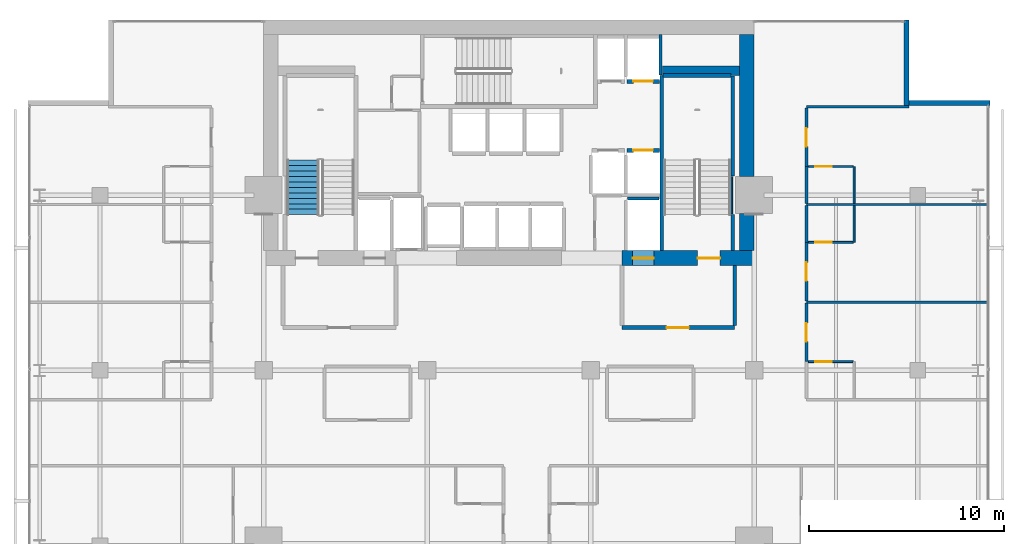
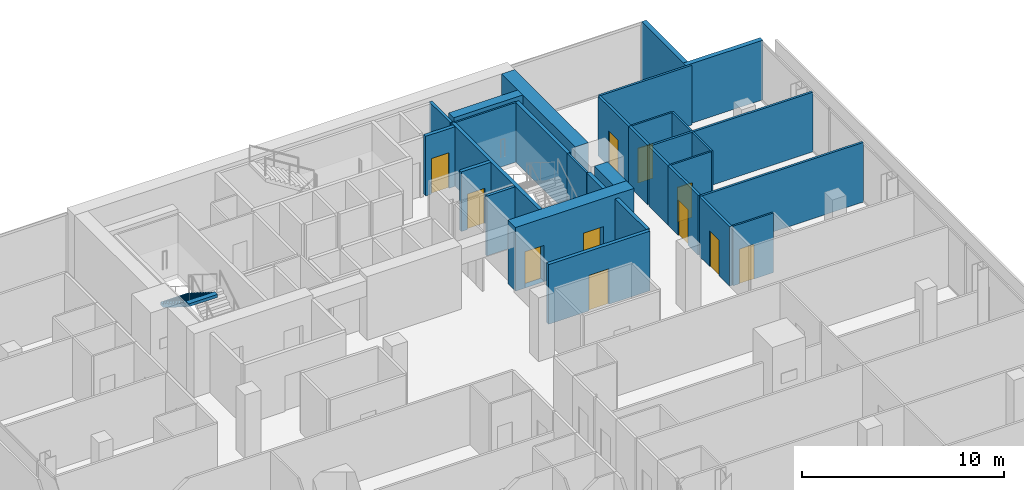
# One storey, part 31 of 34: 30 walls, 11 doors, 1 stair flight, 11 openings, 1 element without a shape of its own.
"""IFC4 building model written with IfcOpenShell, lengths in metres."""

from ifc_helpers import new_model, si_unit, direction, frame, frame_2d, origin, place, context, subcontext, project, spatial, polyline, rectangle, outline, extrude, material, layer, layer_set, type_object, element, fill, aggregate, save


model = new_model("IFC4")

# Units and contexts
model_context = context("Model", 3, precision=1e-05, world=origin(), true_north=direction((0.0, 1.0)))
body_context = subcontext(model_context, "Body", "Model", "MODEL_VIEW")
ifc_project = project(units=[si_unit("LENGTHUNIT", "METRE"), si_unit("AREAUNIT", "SQUARE_METRE"), si_unit("VOLUMEUNIT", "CUBIC_METRE"), si_unit("PLANEANGLEUNIT", "RADIAN"), si_unit("MASSUNIT", "GRAM", prefix="KILO")], contexts=[model_context])

# Site, building, storey
site_placement = place(None, origin())
site = spatial("IfcSite", under=ifc_project, at=site_placement, CompositionType="ELEMENT")
building_placement = place(site_placement, origin())
building = spatial("IfcBuilding", under=site, at=building_placement, Name="Maruvema Waterfront Hotel and Observation Tower", CompositionType="ELEMENT")
storey_placement = place(building_placement, frame((0.0, 0.0, 177.449951171875)))
storey = spatial("IfcBuildingStorey", under=building, at=storey_placement, Name="L43", CompositionType="ELEMENT", Elevation=177.449951171875)

# Wall, opening, door
ifc_material_1 = material(Name="Twin-stud acoustic gypsum drywall", Category="gypsum")
ifc_layer_1 = layer(ifc_material_1, 0.14990234375, Name="Acoustic Corridor and Suite Demising Wall 150 mm")
ifc_layer_set_1 = layer_set([ifc_layer_1], Name="Twin-stud acoustic gypsum drywall")
wall_type_1 = type_object("IfcWallType", Name="Acoustic Corridor and Suite Demising Wall 150 mm", PredefinedType="PARTITIONING", material=ifc_layer_set_1)
wall_1_placement = place(storey_placement, frame((53.080078125, 36.449951171875, 0.0), z_axis=(0.0, 0.0, 1.0), x_axis=(0.0, 1.0, 0.0)))
wall_1 = element("IfcWall", 1, at=wall_1_placement, inside=storey, type_object=wall_type_1, Name="L43 Room L43-NE1 Corridor Wall 110", PredefinedType="PARTITIONING", context=body_context, shape_type="SweptSolid", body=[
    extrude(rectangle(XDim=3.00244140625, YDim=0.14990234375, at=frame_2d((1.501220703125, 0.0))), origin(), (0.0, 0.0, 1.0), 3.610107421875),
])
opening_1_placement = place(wall_1_placement, frame((1.026123046875, 0.0, 0.0)))
opening_1 = element("IfcOpeningElement", 2, at=opening_1_placement, cuts=wall_1, Name="Opening DR-095", PredefinedType="OPENING", context=body_context, shape_type="SweptSolid", body=[
    extrude(rectangle(XDim=0.949951171875, YDim=2.14990234375, at=frame_2d((0.47509765625, 1.074951171875))), frame((0.0, 0.0849609375, 0.0), z_axis=(0.0, -1.0, 0.0), x_axis=(1.0, 0.0, 0.0)), (0.0, 0.0, 1.0), 0.169921875),
])
ifc_material_2 = material(Name="Acoustic solid-core hardwood timber leaf", Category="wood")
door_type_1 = type_object("IfcDoorType", Name="Guestroom Entrance Fire Door 950x2150 mm", OperationType="NOTDEFINED", PredefinedType="DOOR", material=ifc_material_2)
door_1_placement = place(opening_1_placement, frame((0.949951171875, 0.0, 0.0), z_axis=(0.0, 0.0, 1.0), x_axis=(-1.0, 0.0, 0.0)))
door_1 = element("IfcDoor", 3, at=door_1_placement, inside=storey, type_object=door_type_1, Name="L43 Room L43-NE1 Entrance Door", OperationType="SINGLE_SWING_LEFT", OverallHeight=2.14990234375, OverallWidth=0.949951171875, PredefinedType="DOOR", context=body_context, shape_type="SweptSolid", body=[
    extrude(rectangle(XDim=0.949951171875, YDim=2.14990234375, at=frame_2d((0.47509765625, 1.074951171875))), frame((0.0, 0.02490234375, 0.0), z_axis=(0.0, -1.0, 0.0), x_axis=(1.0, 0.0, 0.0)), (0.0, 0.0, 1.0), 0.050048828125),
])
fill(opening_1, door_1)

wall_2_placement = place(storey_placement, frame((53.080078125, 39.572509765625, 0.0), z_axis=(0.0, 0.0, 1.0), x_axis=(0.0, 1.0, 0.0)))
wall_2 = element("IfcWall", 4, at=wall_2_placement, inside=storey, type_object=wall_type_1, Name="L43 Room L43-NE2 Corridor Wall 119", PredefinedType="PARTITIONING", context=body_context, shape_type="SweptSolid", body=[
    extrude(rectangle(XDim=3.00244140625, YDim=0.14990234375, at=frame_2d((1.501220703125, 0.0))), origin(), (0.0, 0.0, 1.0), 3.610107421875),
])
opening_2_placement = place(wall_2_placement, frame((1.0263671875, 0.0, 0.0)))
opening_2 = element("IfcOpeningElement", 5, at=opening_2_placement, cuts=wall_2, Name="Opening DR-095", PredefinedType="OPENING", context=body_context, shape_type="SweptSolid", body=[
    extrude(rectangle(XDim=0.949951171875, YDim=2.14990234375, at=frame_2d((0.47509765625, 1.074951171875))), frame((0.0, 0.0849609375, 0.0), z_axis=(0.0, -1.0, 0.0), x_axis=(1.0, 0.0, 0.0)), (0.0, 0.0, 1.0), 0.169921875),
])
door_2_placement = place(opening_2_placement, frame((0.949951171875, 0.0, 0.0), z_axis=(0.0, 0.0, 1.0), x_axis=(-1.0, 0.0, 0.0)))
door_2 = element("IfcDoor", 6, at=door_2_placement, inside=storey, type_object=door_type_1, Name="L43 Room L43-NE2 Entrance Door", OperationType="SINGLE_SWING_LEFT", OverallHeight=2.14990234375, OverallWidth=0.949951171875, PredefinedType="DOOR", context=body_context, shape_type="SweptSolid", body=[
    extrude(rectangle(XDim=0.949951171875, YDim=2.14990234375, at=frame_2d((0.47509765625, 1.074951171875))), frame((0.0, 0.02490234375, 0.0), z_axis=(0.0, -1.0, 0.0), x_axis=(1.0, 0.0, 0.0)), (0.0, 0.0, 1.0), 0.050048828125),
])
fill(opening_2, door_2)

# Walls
for number, where, z_axis, x_axis, name in (
    (7, (53.080078125, 42.574951171875, 0.0), (0.0, 0.0, 1.0), (0.0, 1.0, 0.0), "L43 Bath L43-NE2 Wall 120"),
    (8, (53.080078125, 44.5849609375, 0.0), (0.0, 0.0, 1.0), (0.0, 1.0, 0.0), "L43 Bath L43-NE3 Wall 129"),
):
    element("IfcWall", number, at=place(storey_placement, frame(where, z_axis=z_axis, x_axis=x_axis)), inside=storey, type_object=wall_type_1, Name=name, PredefinedType="PARTITIONING", context=body_context, shape_type="SweptSolid", body=[
        extrude(rectangle(XDim=1.89013671875, YDim=0.14990234375, at=frame_2d((0.945068359375, 0.0))), origin(), (0.0, 0.0, 1.0), 3.610107421875),
    ])

# Wall, opening, door
wall_3_placement = place(storey_placement, frame((53.080078125, 46.47509765625, 0.0), z_axis=(0.0, 0.0, 1.0), x_axis=(0.0, 1.0, 0.0)))
wall_3 = element("IfcWall", 9, at=wall_3_placement, inside=storey, type_object=wall_type_1, Name="L43 Room L43-NE3 Corridor Wall 130", PredefinedType="PARTITIONING", context=body_context, shape_type="SweptSolid", body=[
    extrude(rectangle(XDim=3.00244140625, YDim=0.14990234375, at=frame_2d((1.501220703125, 0.0))), origin(), (0.0, 0.0, 1.0), 3.610107421875),
])
opening_3_placement = place(wall_3_placement, frame((1.026123046875, 0.0, 0.0)))
opening_3 = element("IfcOpeningElement", 10, at=opening_3_placement, cuts=wall_3, Name="Opening DR-095", PredefinedType="OPENING", context=body_context, shape_type="SweptSolid", body=[
    extrude(rectangle(XDim=0.949951171875, YDim=2.14990234375, at=frame_2d((0.47509765625, 1.074951171875))), frame((0.0, 0.0849609375, 0.0), z_axis=(0.0, -1.0, 0.0), x_axis=(1.0, 0.0, 0.0)), (0.0, 0.0, 1.0), 0.169921875),
])
door_3_placement = place(opening_3_placement, frame((0.949951171875, 0.0, 0.0), z_axis=(0.0, 0.0, 1.0), x_axis=(-1.0, 0.0, 0.0)))
door_3 = element("IfcDoor", 11, at=door_3_placement, inside=storey, type_object=door_type_1, Name="L43 Room L43-NE3 Entrance Door", OperationType="SINGLE_SWING_LEFT", OverallHeight=2.14990234375, OverallWidth=0.949951171875, PredefinedType="DOOR", context=body_context, shape_type="SweptSolid", body=[
    extrude(rectangle(XDim=0.949951171875, YDim=2.14990234375, at=frame_2d((0.47509765625, 1.074951171875))), frame((0.0, 0.02490234375, 0.0), z_axis=(0.0, -1.0, 0.0), x_axis=(1.0, 0.0, 0.0)), (0.0, 0.0, 1.0), 0.050048828125),
])
fill(opening_3, door_3)

# Walls
ifc_material_3 = material(Name="Precast concrete C45/55", Category="concrete")
ifc_layer_2 = layer(ifc_material_3, 0.199951171875, Name="Core Shaft and Stairwell Enclosure Wall 200 mm")
ifc_layer_set_2 = layer_set([ifc_layer_2], Name="Precast concrete C45/55")
wall_type_2 = type_object("IfcWallType", Name="Core Shaft and Stairwell Enclosure Wall 200 mm", PredefinedType="SOLIDWALL", material=ifc_layer_set_2)
wall_4_placement = place(storey_placement, frame((45.64990234375, 42.14990234375, 0.0), z_axis=(0.0, 0.0, 1.0), x_axis=(0.0, 1.0, 0.0)))
element("IfcWall", 12, at=wall_4_placement, inside=storey, type_object=wall_type_2, Name="L43 Stairwell ST-03 West Shaft Wall", PredefinedType="SOLIDWALL", context=body_context, shape_type="SweptSolid", body=[
    extrude(rectangle(XDim=9.0, YDim=0.199951171875, at=frame_2d((4.5, 0.0))), origin(), (0.0, 0.0, 1.0), 3.610107421875),
])
wall_5_placement = place(storey_placement, frame((49.300048828125, 42.14990234375, 0.0), z_axis=(0.0, 0.0, 1.0), x_axis=(0.0, 1.0, 0.0)))
element("IfcWall", 13, at=wall_5_placement, inside=storey, type_object=wall_type_2, Name="L43 Stairwell ST-03 Shaft Lining Wall", PredefinedType="SOLIDWALL", context=body_context, shape_type="SweptSolid", body=[
    extrude(rectangle(XDim=1.8701171875, YDim=0.199951171875, at=frame_2d((0.93505859375, 0.0))), origin(), (0.0, 0.0, 1.0), 3.610107421875),
])
wall_6_placement = place(storey_placement, frame((49.300048828125, 45.97998046875, 0.0), z_axis=(0.0, 0.0, 1.0), x_axis=(0.0, 1.0, 0.0)))
element("IfcWall", 14, at=wall_6_placement, inside=storey, type_object=wall_type_2, Name="L43 Stairwell ST-03 Shaft Lining Wall", PredefinedType="SOLIDWALL", context=body_context, shape_type="SweptSolid", body=[
    extrude(rectangle(XDim=5.14013671875, YDim=0.199951171875, at=frame_2d((2.570068359375, 0.0))), origin(), (0.0, 0.0, 1.0), 3.610107421875),
])
wall_7_placement = place(storey_placement, frame((45.719970703125, 51.14990234375, 0.0), z_axis=(0.0, 0.0, 1.0), x_axis=(1.0, 0.0, 0.0)))
element("IfcWall", 15, at=wall_7_placement, inside=storey, type_object=wall_type_2, Name="L43 Stairwell ST-03 Shaft Lining Wall", PredefinedType="SOLIDWALL", context=body_context, shape_type="SweptSolid", body=[
    extrude(rectangle(XDim=3.5, YDim=0.199951171875, at=frame_2d((1.75, 0.0))), origin(), (0.0, 0.0, 1.0), 3.610107421875),
])

# Wall, opening, door
wall_8_placement = place(storey_placement, frame((43.860107421875, 47.300048828125, 0.0), z_axis=(0.0, 0.0, 1.0), x_axis=(1.0, 0.0, 0.0)))
wall_8 = element("IfcWall", 16, at=wall_8_placement, inside=storey, type_object=wall_type_2, Name="L43 Lift LF-06 Hoistway Front Wall", PredefinedType="SOLIDWALL", context=body_context, shape_type="SweptSolid", body=[
    extrude(rectangle(XDim=1.679931640625, YDim=0.199951171875, at=frame_2d((0.83984375, 0.0))), origin(), (0.0, 0.0, 1.0), 3.610107421875),
])
opening_4_placement = place(wall_8_placement, frame((0.340087890625, 0.0, 0.0)))
opening_4 = element("IfcOpeningElement", 17, at=opening_4_placement, cuts=wall_8, Name="Opening LD-01", PredefinedType="OPENING", context=body_context, shape_type="SweptSolid", body=[
    extrude(rectangle(XDim=1.0, YDim=2.14990234375, at=frame_2d((0.5, 1.074951171875))), frame((0.0, 0.10986328125, 0.0), z_axis=(0.0, -1.0, 0.0), x_axis=(1.0, 0.0, 0.0)), (0.0, 0.0, 1.0), 0.219970703125),
])
ifc_material_4 = material(Name="Brushed stainless steel Grade 316", Category="steel")
door_type_2 = type_object("IfcDoorType", Name="Passenger Lift Sliding Landing Door 1000x2150 mm", OperationType="SLIDING_TO_LEFT", PredefinedType="DOOR", material=ifc_material_4)
door_4_placement = place(opening_4_placement, origin())
door_4 = element("IfcDoor", 18, at=door_4_placement, inside=storey, type_object=door_type_2, Name="L43 Lift LF-06 Sliding Landing Door", OperationType="SLIDING_TO_LEFT", OverallHeight=2.14990234375, OverallWidth=1.0, PredefinedType="DOOR", context=body_context, shape_type="SweptSolid", body=[
    extrude(rectangle(XDim=1.0, YDim=2.14990234375, at=frame_2d((0.5, 1.074951171875))), frame((0.0, 0.02490234375, 0.0), z_axis=(0.0, -1.0, 0.0), x_axis=(1.0, 0.0, 0.0)), (0.0, 0.0, 1.0), 0.050048828125),
])
fill(opening_4, door_4)

wall_9_placement = place(storey_placement, frame((43.860107421875, 50.85009765625, 0.0), z_axis=(0.0, 0.0, 1.0), x_axis=(1.0, 0.0, 0.0)))
wall_9 = element("IfcWall", 19, at=wall_9_placement, inside=storey, type_object=wall_type_2, Name="L43 Lift LF-08 Hoistway Front Wall", PredefinedType="SOLIDWALL", context=body_context, shape_type="SweptSolid", body=[
    extrude(rectangle(XDim=1.679931640625, YDim=0.199951171875, at=frame_2d((0.83984375, 0.0))), origin(), (0.0, 0.0, 1.0), 3.610107421875),
])
opening_5_placement = place(wall_9_placement, frame((0.340087890625, 0.0, 0.0)))
opening_5 = element("IfcOpeningElement", 20, at=opening_5_placement, cuts=wall_9, Name="Opening LD-01", PredefinedType="OPENING", context=body_context, shape_type="SweptSolid", body=[
    extrude(rectangle(XDim=1.0, YDim=2.14990234375, at=frame_2d((0.5, 1.074951171875))), frame((0.0, 0.10986328125, 0.0), z_axis=(0.0, -1.0, 0.0), x_axis=(1.0, 0.0, 0.0)), (0.0, 0.0, 1.0), 0.219970703125),
])
door_5_placement = place(opening_5_placement, frame((1.0, 0.0, 0.0), z_axis=(0.0, 0.0, 1.0), x_axis=(-1.0, 0.0, 0.0)))
door_5 = element("IfcDoor", 21, at=door_5_placement, inside=storey, type_object=door_type_2, Name="L43 Lift LF-08 Sliding Landing Door", OperationType="SLIDING_TO_LEFT", OverallHeight=2.14990234375, OverallWidth=1.0, PredefinedType="DOOR", context=body_context, shape_type="SweptSolid", body=[
    extrude(rectangle(XDim=1.0, YDim=2.14990234375, at=frame_2d((0.5, 1.074951171875))), frame((0.0, 0.02490234375, 0.0), z_axis=(0.0, -1.0, 0.0), x_axis=(1.0, 0.0, 0.0)), (0.0, 0.0, 1.0), 0.050048828125),
])
fill(opening_5, door_5)

# Wall
ifc_material_5 = material(Name="Concrete C70/85", Category="concrete")
ifc_layer_3 = layer(ifc_material_5, 0.5, Name="Core Shear Wall 500 mm")
ifc_layer_set_3 = layer_set([ifc_layer_3], Name="Concrete C70/85")
wall_type_3 = type_object("IfcWallType", Name="Core Shear Wall 500 mm", PredefinedType="SHEAR", material=ifc_layer_set_3)
wall_10_placement = place(storey_placement, frame((45.699951171875, 51.39990234375, 0.0), z_axis=(0.0, 0.0, 1.0), x_axis=(1.0, 0.0, 0.0)))
element("IfcWall", 22, at=wall_10_placement, inside=storey, type_object=wall_type_3, Name="L43 Internal Core Shear Wall NE 500 mm", PredefinedType="SHEAR", context=body_context, shape_type="SweptSolid", body=[
    extrude(rectangle(XDim=3.949951171875, YDim=0.5, at=frame_2d((1.97509765625, 0.0))), origin(), (0.0, 0.0, 1.0), 3.85009765625),
])

# Wall, openings, doors
ifc_material_6 = material(Name="Concrete C70/85", Category="concrete")
ifc_layer_4 = layer(ifc_material_6, 0.75, Name="Core Shear Wall 750 mm")
ifc_layer_set_4 = layer_set([ifc_layer_4], Name="Concrete C70/85")
wall_type_4 = type_object("IfcWallType", Name="Core Shear Wall 750 mm", PredefinedType="SHEAR", material=ifc_layer_set_4)
wall_11_placement = place(storey_placement, frame((43.60009765625, 41.77490234375, 0.0), z_axis=(0.0, 0.0, 1.0), x_axis=(1.0, 0.0, 0.0)))
wall_11 = element("IfcWall", 23, at=wall_11_placement, inside=storey, type_object=wall_type_4, Name="L43 South-East Core Shear Wall", PredefinedType="SHEAR", context=body_context, shape_type="SweptSolid", body=[
    extrude(rectangle(XDim=6.7998046875, YDim=0.75, at=frame_2d((3.39990234375, 0.0))), origin(), (0.0, 0.0, 1.0), 3.85009765625),
])
opening_6_placement = place(wall_11_placement, frame((3.89990234375, 0.0, 0.0)))
opening_6 = element("IfcOpeningElement", 24, at=opening_6_placement, cuts=wall_11, Name="Opening SD-01", PredefinedType="OPENING", context=body_context, shape_type="SweptSolid", body=[
    extrude(rectangle(XDim=1.14990234375, YDim=2.14990234375, at=frame_2d((0.574951171875, 1.074951171875))), frame((0.0, 0.385009765625, 0.0), z_axis=(0.0, -1.0, 0.0), x_axis=(1.0, 0.0, 0.0)), (0.0, 0.0, 1.0), 0.77001953125),
])
opening_7_placement = place(wall_11_placement, frame((0.550048828125, 0.0, 0.0)))
opening_7 = element("IfcOpeningElement", 25, at=opening_7_placement, cuts=wall_11, Name="Opening LD-03", PredefinedType="OPENING", context=body_context, shape_type="SweptSolid", body=[
    extrude(rectangle(XDim=1.10009765625, YDim=2.199951171875, at=frame_2d((0.550048828125, 1.10009765625))), frame((0.0, 0.385009765625, 0.0), z_axis=(0.0, -1.0, 0.0), x_axis=(1.0, 0.0, 0.0)), (0.0, 0.0, 1.0), 0.77001953125),
])
ifc_material_7 = material(Name="Fire-rated galvanised steel leaf", Category="steel")
door_type_3 = type_object("IfcDoorType", Name="Exit Stair Fire Door 1150x2150 mm", OperationType="NOTDEFINED", PredefinedType="DOOR", material=ifc_material_7)
door_6_placement = place(opening_6_placement, origin())
door_6 = element("IfcDoor", 26, at=door_6_placement, inside=storey, type_object=door_type_3, Name="L43 Exit Stair ST-03 Fire Door", OperationType="SINGLE_SWING_RIGHT", OverallHeight=2.14990234375, OverallWidth=1.14990234375, PredefinedType="DOOR", context=body_context, shape_type="SweptSolid", body=[
    extrude(rectangle(XDim=1.14990234375, YDim=2.14990234375, at=frame_2d((0.574951171875, 1.074951171875))), frame((0.0, 0.02490234375, 0.0), z_axis=(0.0, -1.0, 0.0), x_axis=(1.0, 0.0, 0.0)), (0.0, 0.0, 1.0), 0.050048828125),
])
fill(opening_6, door_6)
ifc_material_8 = material(Name="Brushed stainless steel Grade 316", Category="steel")
door_type_4 = type_object("IfcDoorType", Name="Firefighting Lift Sliding Landing Door 1100x2200 mm", OperationType="SLIDING_TO_LEFT", PredefinedType="DOOR", material=ifc_material_8)
door_7_placement = place(opening_7_placement, frame((1.10009765625, 0.0, 0.0), z_axis=(0.0, 0.0, 1.0), x_axis=(-1.0, 0.0, 0.0)))
door_7 = element("IfcDoor", 27, at=door_7_placement, inside=storey, type_object=door_type_4, Name="L43 Firefighting Lift FL-02 Landing Door", OperationType="SLIDING_TO_LEFT", OverallHeight=2.199951171875, OverallWidth=1.10009765625, PredefinedType="DOOR", context=body_context, shape_type="SweptSolid", body=[
    extrude(rectangle(XDim=1.10009765625, YDim=2.199951171875, at=frame_2d((0.550048828125, 1.10009765625))), frame((0.0, 0.02490234375, 0.0), z_axis=(0.0, -1.0, 0.0), x_axis=(1.0, 0.0, 0.0)), (0.0, 0.0, 1.0), 0.050048828125),
])
fill(opening_7, door_7)

# Walls
wall_12_placement = place(storey_placement, frame((50.02490234375, 42.14990234375, 0.0), z_axis=(0.0, 0.0, 1.0), x_axis=(0.0, 1.0, 0.0)))
element("IfcWall", 28, at=wall_12_placement, inside=storey, type_object=wall_type_4, Name="L43 East-South Core Shear Wall", PredefinedType="SHEAR", context=body_context, shape_type="SweptSolid", body=[
    extrude(rectangle(XDim=1.900146484375, YDim=0.75, at=frame_2d((0.9501953125, 0.0))), origin(), (0.0, 0.0, 1.0), 3.85009765625),
])
wall_13_placement = place(storey_placement, frame((50.02490234375, 45.949951171875, 0.0), z_axis=(0.0, 0.0, 1.0), x_axis=(0.0, 1.0, 0.0)))
element("IfcWall", 29, at=wall_13_placement, inside=storey, type_object=wall_type_4, Name="L43 East-North Core Shear Wall", PredefinedType="SHEAR", context=body_context, shape_type="SweptSolid", body=[
    extrude(rectangle(XDim=7.300048828125, YDim=0.75, at=frame_2d((3.64990234375, 0.0))), origin(), (0.0, 0.0, 1.0), 3.85009765625),
])

# Wall, opening, door
ifc_material_9 = material(Name="Moisture-resistant cement-board drywall", Category="gypsum")
ifc_layer_5 = layer(ifc_material_9, 0.10009765625, Name="En-Suite Moisture-Resistant Partition 100 mm")
ifc_layer_set_5 = layer_set([ifc_layer_5], Name="Moisture-resistant cement-board drywall")
wall_type_5 = type_object("IfcWallType", Name="En-Suite Moisture-Resistant Partition 100 mm", PredefinedType="PARTITIONING", material=ifc_layer_set_5)
wall_14_placement = place(storey_placement, frame((53.179931640625, 36.449951171875, 0.0), z_axis=(0.0, 0.0, 1.0), x_axis=(1.0, 0.0, 0.0)))
wall_14 = element("IfcWall", 30, at=wall_14_placement, inside=storey, type_object=wall_type_5, Name="L43 En-Suite L43-NE1 N 112", PredefinedType="PARTITIONING", context=body_context, shape_type="SweptSolid", body=[
    extrude(rectangle(XDim=2.300048828125, YDim=0.10009765625, at=frame_2d((1.14990234375, 0.0))), origin(), (0.0, 0.0, 1.0), 3.610107421875),
])
opening_8_placement = place(wall_14_placement, frame((0.35009765625, 0.0, 0.0)))
opening_8 = element("IfcOpeningElement", 31, at=opening_8_placement, cuts=wall_14, Name="Opening DR-085", PredefinedType="OPENING", context=body_context, shape_type="SweptSolid", body=[
    extrude(rectangle(XDim=0.85009765625, YDim=2.10009765625, at=frame_2d((0.425048828125, 1.050048828125))), frame((0.0, 0.06005859375, 0.0), z_axis=(0.0, -1.0, 0.0), x_axis=(1.0, 0.0, 0.0)), (0.0, 0.0, 1.0), 0.1201171875),
])
ifc_material_10 = material(Name="Moisture-resistant solid timber leaf", Category="wood")
door_type_5 = type_object("IfcDoorType", Name="En-Suite Bathroom Door 850x2100 mm", OperationType="NOTDEFINED", PredefinedType="DOOR", material=ifc_material_10)
door_8_placement = place(opening_8_placement, origin())
door_8 = element("IfcDoor", 32, at=door_8_placement, inside=storey, type_object=door_type_5, Name="L43 En-Suite L43-NE1 Door", OperationType="SINGLE_SWING_RIGHT", OverallHeight=2.10009765625, OverallWidth=0.85009765625, PredefinedType="DOOR", context=body_context, shape_type="SweptSolid", body=[
    extrude(rectangle(XDim=0.85009765625, YDim=2.10009765625, at=frame_2d((0.425048828125, 1.050048828125))), frame((0.0, 0.02490234375, 0.0), z_axis=(0.0, -1.0, 0.0), x_axis=(1.0, 0.0, 0.0)), (0.0, 0.0, 1.0), 0.050048828125),
])
fill(opening_8, door_8)

# Wall
wall_15_placement = place(storey_placement, frame((55.530029296875, 42.574951171875, 0.0), z_axis=(0.0, 0.0, 1.0), x_axis=(0.0, 1.0, 0.0)))
element("IfcWall", 33, at=wall_15_placement, inside=storey, type_object=wall_type_5, Name="L43 En-Suite L43-NE2 E 121", PredefinedType="PARTITIONING", context=body_context, shape_type="SweptSolid", body=[
    extrude(rectangle(XDim=1.89013671875, YDim=0.10009765625, at=frame_2d((0.945068359375, 0.0))), origin(), (0.0, 0.0, 1.0), 3.610107421875),
])

# Wall, opening, door
wall_16_placement = place(storey_placement, frame((53.179931640625, 42.574951171875, 0.0), z_axis=(0.0, 0.0, 1.0), x_axis=(1.0, 0.0, 0.0)))
wall_16 = element("IfcWall", 34, at=wall_16_placement, inside=storey, type_object=wall_type_5, Name="L43 En-Suite L43-NE2 S 122", PredefinedType="PARTITIONING", context=body_context, shape_type="SweptSolid", body=[
    extrude(rectangle(XDim=2.300048828125, YDim=0.10009765625, at=frame_2d((1.14990234375, 0.0))), origin(), (0.0, 0.0, 1.0), 3.610107421875),
])
opening_9_placement = place(wall_16_placement, frame((0.35009765625, 0.0, 0.0)))
opening_9 = element("IfcOpeningElement", 35, at=opening_9_placement, cuts=wall_16, Name="Opening DR-085", PredefinedType="OPENING", context=body_context, shape_type="SweptSolid", body=[
    extrude(rectangle(XDim=0.85009765625, YDim=2.10009765625, at=frame_2d((0.425048828125, 1.050048828125))), frame((0.0, 0.06005859375, 0.0), z_axis=(0.0, -1.0, 0.0), x_axis=(1.0, 0.0, 0.0)), (0.0, 0.0, 1.0), 0.1201171875),
])
door_9_placement = place(opening_9_placement, frame((0.85009765625, 0.0, 0.0), z_axis=(0.0, 0.0, 1.0), x_axis=(-1.0, 0.0, 0.0)))
door_9 = element("IfcDoor", 36, at=door_9_placement, inside=storey, type_object=door_type_5, Name="L43 En-Suite L43-NE2 Door", OperationType="SINGLE_SWING_RIGHT", OverallHeight=2.10009765625, OverallWidth=0.85009765625, PredefinedType="DOOR", context=body_context, shape_type="SweptSolid", body=[
    extrude(rectangle(XDim=0.85009765625, YDim=2.10009765625, at=frame_2d((0.425048828125, 1.050048828125))), frame((0.0, 0.02490234375, 0.0), z_axis=(0.0, -1.0, 0.0), x_axis=(1.0, 0.0, 0.0)), (0.0, 0.0, 1.0), 0.050048828125),
])
fill(opening_9, door_9)

# Wall
wall_17_placement = place(storey_placement, frame((55.530029296875, 44.5849609375, 0.0), z_axis=(0.0, 0.0, 1.0), x_axis=(0.0, 1.0, 0.0)))
element("IfcWall", 37, at=wall_17_placement, inside=storey, type_object=wall_type_5, Name="L43 En-Suite L43-NE3 E 131", PredefinedType="PARTITIONING", context=body_context, shape_type="SweptSolid", body=[
    extrude(rectangle(XDim=1.89013671875, YDim=0.10009765625, at=frame_2d((0.945068359375, 0.0))), origin(), (0.0, 0.0, 1.0), 3.610107421875),
])

# Wall, opening, door
wall_18_placement = place(storey_placement, frame((53.179931640625, 46.47509765625, 0.0), z_axis=(0.0, 0.0, 1.0), x_axis=(1.0, 0.0, 0.0)))
wall_18 = element("IfcWall", 38, at=wall_18_placement, inside=storey, type_object=wall_type_5, Name="L43 En-Suite L43-NE3 N 132", PredefinedType="PARTITIONING", context=body_context, shape_type="SweptSolid", body=[
    extrude(rectangle(XDim=2.300048828125, YDim=0.10009765625, at=frame_2d((1.14990234375, 0.0))), origin(), (0.0, 0.0, 1.0), 3.610107421875),
])
opening_10_placement = place(wall_18_placement, frame((0.35009765625, 0.0, 0.0)))
opening_10 = element("IfcOpeningElement", 39, at=opening_10_placement, cuts=wall_18, Name="Opening DR-085", PredefinedType="OPENING", context=body_context, shape_type="SweptSolid", body=[
    extrude(rectangle(XDim=0.85009765625, YDim=2.10009765625, at=frame_2d((0.425048828125, 1.050048828125))), frame((0.0, 0.06005859375, 0.0), z_axis=(0.0, -1.0, 0.0), x_axis=(1.0, 0.0, 0.0)), (0.0, 0.0, 1.0), 0.1201171875),
])
door_10_placement = place(opening_10_placement, origin())
door_10 = element("IfcDoor", 40, at=door_10_placement, inside=storey, type_object=door_type_5, Name="L43 En-Suite L43-NE3 Door", OperationType="SINGLE_SWING_RIGHT", OverallHeight=2.10009765625, OverallWidth=0.85009765625, PredefinedType="DOOR", context=body_context, shape_type="SweptSolid", body=[
    extrude(rectangle(XDim=0.85009765625, YDim=2.10009765625, at=frame_2d((0.425048828125, 1.050048828125))), frame((0.0, 0.02490234375, 0.0), z_axis=(0.0, -1.0, 0.0), x_axis=(1.0, 0.0, 0.0)), (0.0, 0.0, 1.0), 0.050048828125),
])
fill(opening_10, door_10)

# Walls
ifc_material_11 = material(Name="Precast concrete C45/55 with honed Pernambuco granite facing", Category="masonry")
ifc_layer_6 = layer(ifc_material_11, 0.260009765625, Name="Exterior Granite Clad Spandrel and Pier Wall 260 mm")
ifc_layer_set_6 = layer_set([ifc_layer_6], Name="Precast concrete C45/55 with honed Pernambuco granite facing")
wall_type_6 = type_object("IfcWallType", Name="Exterior Granite Clad Spandrel and Pier Wall 260 mm", PredefinedType="SOLIDWALL", material=ifc_layer_set_6)
for number, where, z_axis, x_axis, name in (
    (41, (58.22998046875, 54.0, 0.0), (0.0, 0.0, 1.0), (0.0, -1.0, 0.0), "L43 Corner Notch Granite Pier Wall NE1"),
    (42, (58.10009765625, 49.72998046875, 0.0), (0.0, 0.0, 1.0), (1.0, 0.0, 0.0), "L43 Corner Notch Granite Pier Wall NE2"),
):
    element("IfcWall", number, at=place(storey_placement, frame(where, z_axis=z_axis, x_axis=x_axis)), inside=storey, type_object=wall_type_6, Name=name, PredefinedType="SOLIDWALL", context=body_context, shape_type="SweptSolid", body=[
        extrude(rectangle(XDim=4.39990234375, YDim=0.260009765625, at=frame_2d((2.199951171875, 0.0))), origin(), (0.0, 0.0, 1.0), 3.610107421875),
    ])

# Wall, opening, door
ifc_material_12 = material(Name="Autoclaved cellular concrete blockwork", Category="masonry")
ifc_layer_7 = layer(ifc_material_12, 0.199951171875, Name="Fire Compartment Masonry Wall 200 mm")
ifc_layer_set_7 = layer_set([ifc_layer_7], Name="Autoclaved cellular concrete blockwork")
wall_type_7 = type_object("IfcWallType", Name="Fire Compartment Masonry Wall 200 mm", PredefinedType="PARTITIONING", material=ifc_layer_set_7)
wall_19_placement = place(storey_placement, frame((43.60009765625, 38.199951171875, 0.0), z_axis=(0.0, 0.0, 1.0), x_axis=(1.0, 0.0, 0.0)))
wall_19 = element("IfcWall", 43, at=wall_19_placement, inside=storey, type_object=wall_type_7, Name="L43 FFL East South Wall 004", PredefinedType="PARTITIONING", context=body_context, shape_type="SweptSolid", body=[
    extrude(rectangle(XDim=5.7998046875, YDim=0.199951171875, at=frame_2d((2.89990234375, 0.0))), origin(), (0.0, 0.0, 1.0), 3.610107421875),
])
opening_11_placement = place(wall_19_placement, frame((2.300048828125, 0.0, 0.0)))
opening_11 = element("IfcOpeningElement", 44, at=opening_11_placement, cuts=wall_19, Name="Opening FD-115", PredefinedType="OPENING", context=body_context, shape_type="SweptSolid", body=[
    extrude(rectangle(XDim=1.14990234375, YDim=2.14990234375, at=frame_2d((0.574951171875, 1.074951171875))), frame((0.0, 0.10986328125, 0.0), z_axis=(0.0, -1.0, 0.0), x_axis=(1.0, 0.0, 0.0)), (0.0, 0.0, 1.0), 0.219970703125),
])
ifc_material_13 = material(Name="Fire-rated galvanised steel and vision glass", Category="steel")
door_type_6 = type_object("IfcDoorType", Name="Firefighting Lobby Fire Door 1150x2150 mm", OperationType="NOTDEFINED", PredefinedType="DOOR", material=ifc_material_13)
door_11_placement = place(opening_11_placement, frame((1.14990234375, 0.0, 0.0), z_axis=(0.0, 0.0, 1.0), x_axis=(-1.0, 0.0, 0.0)))
door_11 = element("IfcDoor", 45, at=door_11_placement, inside=storey, type_object=door_type_6, Name="L43 Firefighting Lobby East Door", OperationType="SINGLE_SWING_LEFT", OverallHeight=2.14990234375, OverallWidth=1.14990234375, PredefinedType="DOOR", context=body_context, shape_type="SweptSolid", body=[
    extrude(rectangle(XDim=1.14990234375, YDim=2.14990234375, at=frame_2d((0.574951171875, 1.074951171875))), frame((0.0, 0.02490234375, 0.0), z_axis=(0.0, -1.0, 0.0), x_axis=(1.0, 0.0, 0.0)), (0.0, 0.0, 1.0), 0.050048828125),
])
fill(opening_11, door_11)

# Walls
wall_20_placement = place(storey_placement, frame((49.39990234375, 38.31005859375, 0.0), z_axis=(0.0, 0.0, 1.0), x_axis=(0.0, 1.0, 0.0)))
element("IfcWall", 46, at=wall_20_placement, inside=storey, type_object=wall_type_7, Name="L43 FFL East East Wall 006", PredefinedType="PARTITIONING", context=body_context, shape_type="SweptSolid", body=[
    extrude(rectangle(XDim=3.06982421875, YDim=0.199951171875, at=frame_2d((1.534912109375, 0.0))), origin(), (0.0, 0.0, 1.0), 3.610107421875),
])
ifc_material_14 = material(Name="Acoustic gypsum plasterboard drywall", Category="gypsum")
ifc_layer_8 = layer(ifc_material_14, 0.125, Name="Guestroom Acoustic Demising Wall 125 mm")
ifc_layer_set_8 = layer_set([ifc_layer_8], Name="Acoustic gypsum plasterboard drywall")
wall_type_8 = type_object("IfcWallType", Name="Guestroom Acoustic Demising Wall 125 mm", PredefinedType="PARTITIONING", material=ifc_layer_set_8)
wall_21_placement = place(storey_placement, frame((53.080078125, 49.53759765625, 0.0), z_axis=(0.0, 0.0, 1.0), x_axis=(1.0, 0.0, 0.0)))
element("IfcWall", 47, at=wall_21_placement, inside=storey, type_object=wall_type_8, Name="L43 Z2 NE Top End 104", PredefinedType="PARTITIONING", context=body_context, shape_type="SweptSolid", body=[
    extrude(rectangle(XDim=5.280029296875, YDim=0.125, at=frame_2d((2.64013671875, 0.0))), origin(), (0.0, 0.0, 1.0), 3.610107421875),
])
for number, where, z_axis, x_axis, name in (
    (48, (53.080078125, 39.512451171875, 0.0), (0.0, 0.0, 1.0), (1.0, 0.0, 0.0), "L43 Z2 NE Demising 2 114"),
    (49, (53.080078125, 44.52490234375, 0.0), (0.0, 0.0, 1.0), (1.0, 0.0, 0.0), "L43 Z2 NE Demising 3 124"),
):
    element("IfcWall", number, at=place(storey_placement, frame(where, z_axis=z_axis, x_axis=x_axis)), inside=storey, type_object=wall_type_8, Name=name, PredefinedType="PARTITIONING", context=body_context, shape_type="SweptSolid", body=[
        extrude(rectangle(XDim=9.31982421875, YDim=0.125, at=frame_2d((4.659912109375, 0.0))), origin(), (0.0, 0.0, 1.0), 3.610107421875),
    ])
ifc_material_15 = material(Name="Precast concrete C45/55", Category="concrete")
ifc_layer_9 = layer(ifc_material_15, 0.159912109375, Name="Lift Hoistway Divider Wall 160 mm")
ifc_layer_set_9 = layer_set([ifc_layer_9], Name="Precast concrete C45/55")
wall_type_9 = type_object("IfcWallType", Name="Lift Hoistway Divider Wall 160 mm", PredefinedType="SOLIDWALL", material=ifc_layer_set_9)
wall_22_placement = place(storey_placement, frame((43.89990234375, 44.830078125, 0.0), z_axis=(0.0, 0.0, 1.0), x_axis=(1.0, 0.0, 0.0)))
element("IfcWall", 50, at=wall_22_placement, inside=storey, type_object=wall_type_9, Name="L43 Lift FL-02 Rear Hoistway Wall", PredefinedType="SOLIDWALL", context=body_context, shape_type="SweptSolid", body=[
    extrude(rectangle(XDim=1.60009765625, YDim=0.159912109375, at=frame_2d((0.800048828125, 0.0))), origin(), (0.0, 0.0, 1.0), 3.610107421875),
])
wall_23_placement = place(storey_placement, frame((45.590087890625, 51.179931640625, 0.0), z_axis=(0.0, 0.0, 1.0), x_axis=(0.0, 1.0, 0.0)))
element("IfcWall", 51, at=wall_23_placement, inside=storey, type_object=wall_type_9, Name="L43 Hoistway Divider Wall", PredefinedType="SOLIDWALL", context=body_context, shape_type="SweptSolid", body=[
    extrude(rectangle(XDim=2.070068359375, YDim=0.159912109375, at=frame_2d((1.03515625, 0.0))), origin(), (0.0, 0.0, 1.0), 3.610107421875),
])
ifc_material_16 = material(Name="Precast concrete C45/55", Category="concrete")
ifc_layer_10 = layer(ifc_material_16, 0.10009765625, Name="Stairwell Stringer Cheek Wall 100 mm")
ifc_layer_set_10 = layer_set([ifc_layer_10], Name="Precast concrete C45/55")
wall_type_10 = type_object("IfcWallType", Name="Stairwell Stringer Cheek Wall 100 mm", PredefinedType="SOLIDWALL", material=ifc_layer_set_10)
wall_24_placement = place(storey_placement, frame((49.248046875, 44.0400390625, 0.0), z_axis=(0.0, 0.0, 1.0), x_axis=(0.0, 1.0, 0.0)))
element("IfcWall", 52, at=wall_24_placement, inside=storey, type_object=wall_type_10, Name="L43 Stairwell ST-03 Mega-Column Cheek Wall", PredefinedType="SOLIDWALL", context=body_context, shape_type="SweptSolid", body=[
    extrude(rectangle(XDim=1.919921875, YDim=0.10009765625, at=frame_2d((0.9599609375, 0.0))), origin(), (0.0, 0.0, 1.0), 3.610107421875),
])

# Stair, stair flight
ifc_material_17 = material(Name="Concrete C50/60", Category="concrete")
stair_type = type_object("IfcStairType", Name="Dogleg Exit Stair 1650 mm (22R x 175.0 mm)", PredefinedType="HALF_TURN_STAIR", material=ifc_material_17)
stair_placement = place(storey_placement, origin())
stair = element("IfcStair", 53, at=stair_placement, inside=storey, type_object=stair_type, Name="L43 ST-01", PredefinedType="HALF_TURN_STAIR")
ifc_material_18 = material(Name="Concrete C50/60", Category="concrete")
stair_flight_type = type_object("IfcStairFlightType", Name="Reinforced Concrete Stair Flight 1650 mm (11R x 175.0 mm)", PredefinedType="STRAIGHT", material=ifc_material_18)
stair_flight_placement = place(storey_placement, frame((27.22509765625, 46.800048828125, 1.925048828125), z_axis=(0.0, 0.0, 1.0), x_axis=(0.0, -1.0, 0.0)))
stair_flight = element("IfcStairFlight", 54, at=stair_flight_placement, type_object=stair_flight_type, Name="ST-01 flight 2", NumberOfRisers=11, NumberOfTreads=10, PredefinedType="STRAIGHT", RiserHeight=0.175, TreadLength=0.28, context=body_context, shape_type="SweptSolid", body=[
    extrude(outline(polyline([(0.0, 0.0), (0.0, 0.175048828125), (0.280029296875, 0.175048828125), (0.280029296875, 0.35009765625), (0.56005859375, 0.35009765625), (0.56005859375, 0.52490234375), (0.840087890625, 0.52490234375), (0.840087890625, 0.699951171875), (1.1201171875, 0.699951171875), (1.1201171875, 0.875), (1.39990234375, 0.875), (1.39990234375, 1.050048828125), (1.679931640625, 1.050048828125), (1.679931640625, 1.22509765625), (1.9599609375, 1.22509765625), (1.9599609375, 1.39990234375), (2.239990234375, 1.39990234375), (2.239990234375, 1.574951171875), (2.52001953125, 1.574951171875), (2.52001953125, 1.75), (2.800048828125, 1.75), (2.800048828125, 1.925048828125), (2.800048828125, 1.5732421875), (0.28271484375, 0.0), (0.0, 0.0)])), frame((0.0, 0.824951171875, 0.0), z_axis=(0.0, -1.0, 0.0), x_axis=(1.0, 0.0, 0.0)), (0.0, 0.0, 1.0), 1.64990234375),
])
aggregate(stair, [stair_flight])

save(model, "model.ifc")
